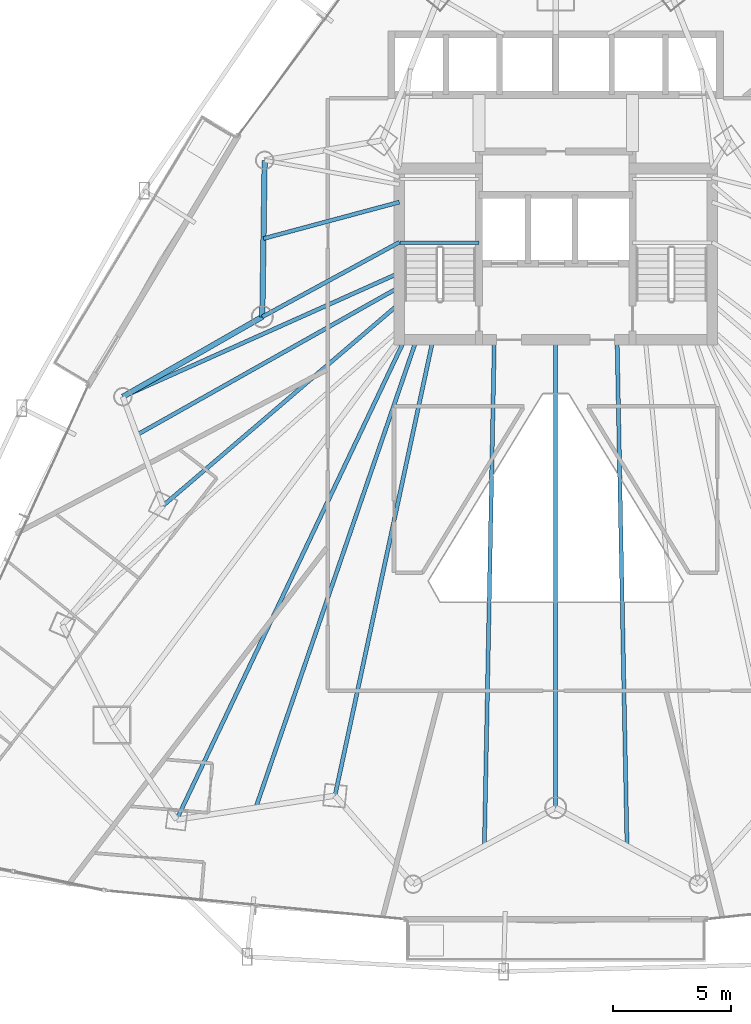
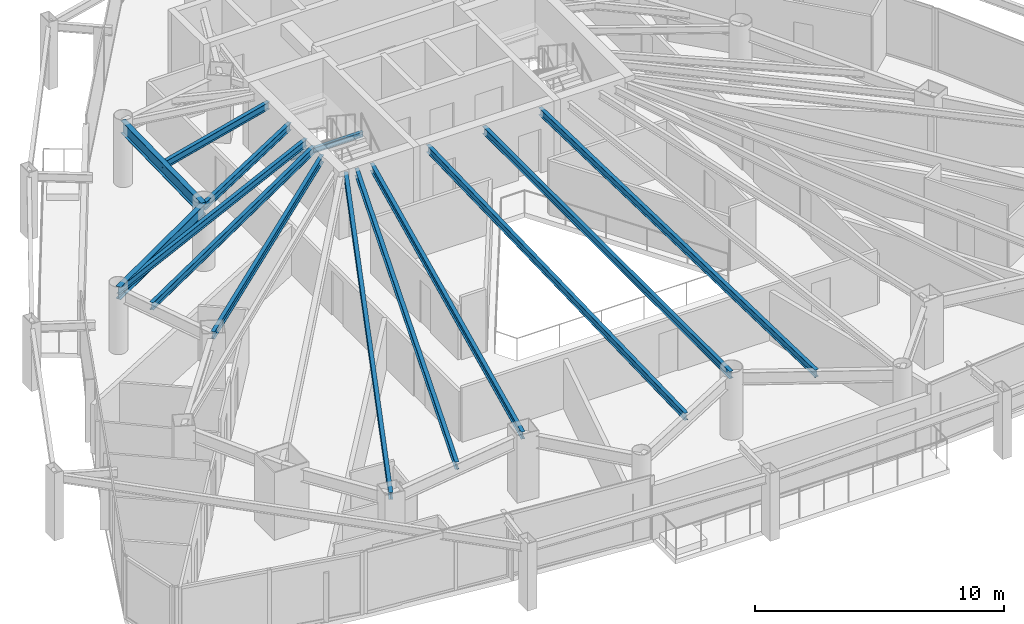
# One storey, part 11 of 34: 14 beams.
"""IFC4 building model written with IfcOpenShell, lengths in metres."""

from ifc_helpers import new_model, si_unit, direction, frame, origin, origin_2d, place, context, subcontext, project, spatial, i_section, extrude, material, material_profile, profile_set, type_object, element, save


model = new_model("IFC4")

# Units and contexts
model_context = context("Model", 3, precision=1e-05, world=origin(), true_north=direction((0.0, 1.0)))
body_context = subcontext(model_context, "Body", "Model", "MODEL_VIEW")
ifc_project = project(units=[si_unit("LENGTHUNIT", "METRE"), si_unit("AREAUNIT", "SQUARE_METRE"), si_unit("VOLUMEUNIT", "CUBIC_METRE"), si_unit("PLANEANGLEUNIT", "RADIAN"), si_unit("MASSUNIT", "GRAM", prefix="KILO")], contexts=[model_context])

# Site, building, storey
site_placement = place(None, origin())
site = spatial("IfcSite", under=ifc_project, at=site_placement, CompositionType="ELEMENT")
building_placement = place(site_placement, origin())
building = spatial("IfcBuilding", under=site, at=building_placement, Name="Orvanel Arch Residences", CompositionType="ELEMENT")
storey_placement = place(building_placement, frame((0.0, 0.0, 77.449951171875)))
storey = spatial("IfcBuildingStorey", under=building, at=storey_placement, Name="L21", CompositionType="ELEMENT", Elevation=77.449951171875)

# Beams
ifc_material = material(Name="Structural steel AS/NZS 3679.1 Grade 300 (300 MPa)", Category="steel")
ifc_material_profile_1 = material_profile(ifc_material, i_section(OverallWidth=0.14599609375, OverallDepth=0.251953125, WebThickness=0.006103515625, FlangeThickness=0.008544921875, at=origin_2d()), Name="250UB31.4")
ifc_profile_set_1 = profile_set([ifc_material_profile_1], Name="Structural steel AS/NZS 3679.1 Grade 300 (300 MPa)")
beam_type_1 = type_object("IfcBeamType", Name="BJ-250UB", PredefinedType="JOIST", material=ifc_profile_set_1)
beam_1_placement = place(storey_placement, frame((26.39990234375, 30.780029296875, 1.323974609375), z_axis=(1.0, 0.0, 0.0), x_axis=(0.0, 1.0, 0.0)))
element("IfcBeam", 1, at=beam_1_placement, inside=storey, type_object=beam_type_1, Name="L21 ST-1 Half-Landing Support Beam 1.1", PredefinedType="JOIST", context=body_context, shape_type="SweptSolid", body=[
    extrude(i_section(OverallWidth=0.14599609375, OverallDepth=0.251953125, WebThickness=0.006103515625, FlangeThickness=0.008544921875, at=origin_2d()), origin(), (0.0, 0.0, 1.0), 3.35009765625),
])
ifc_material_profile_2 = material_profile(ifc_material, i_section(OverallWidth=0.1708984375, OverallDepth=0.35595703125, WebThickness=0.00732421875, FlangeThickness=0.011474609375, at=origin_2d()), Name="360UB50.7")
ifc_profile_set_2 = profile_set([ifc_material_profile_2], Name="Structural steel AS/NZS 3679.1 Grade 300 (300 MPa)")
beam_type_2 = type_object("IfcBeamType", Name="BJ-360UB", PredefinedType="JOIST", material=ifc_profile_set_2)
beam_2_placement = place(storey_placement, frame((26.375, 30.800048828125, 2.882080078125), z_axis=(-0.878399029914, -0.477927969726, 0.0), x_axis=(0.477927969726, -0.878399029914, 0.0)))
element("IfcBeam", 2, at=beam_2_placement, inside=storey, type_object=beam_type_2, Name="L21 NW Wing Floor Joist", PredefinedType="JOIST", context=body_context, shape_type="SweptSolid", body=[
    extrude(i_section(OverallWidth=0.1708984375, OverallDepth=0.35595703125, WebThickness=0.00732421875, FlangeThickness=0.011474609375, at=origin_2d()), origin(), (0.0, 0.0, 1.0), 6.609619140625),
])
beam_3_placement = place(storey_placement, frame((26.375, 28.199951171875, 2.882080078125), z_axis=(-0.760024297953, -0.649894658018, 0.0), x_axis=(0.649894658018, -0.760024297953, 0.0)))
element("IfcBeam", 3, at=beam_3_placement, inside=storey, type_object=beam_type_2, Name="L21 W Wing Floor Joist", PredefinedType="JOIST", context=body_context, shape_type="SweptSolid", body=[
    extrude(i_section(OverallWidth=0.1708984375, OverallDepth=0.35595703125, WebThickness=0.00732421875, FlangeThickness=0.011474609375, at=origin_2d()), origin(), (0.0, 0.0, 1.0), 13.16796875),
])
beam_4_placement = place(storey_placement, frame((27.800048828125, 26.675048828125, 2.882080078125), z_axis=(-0.210066515515, -0.977687096703, 0.0), x_axis=(0.977687096703, -0.210066515515, 0.0)))
element("IfcBeam", 4, at=beam_4_placement, inside=storey, type_object=beam_type_2, Name="L21 SW Wing Floor Joist", PredefinedType="JOIST", context=body_context, shape_type="SweptSolid", body=[
    extrude(i_section(OverallWidth=0.1708984375, OverallDepth=0.35595703125, WebThickness=0.00732421875, FlangeThickness=0.011474609375, at=origin_2d()), origin(), (0.0, 0.0, 1.0), 19.760986328125),
])
beam_5_placement = place(storey_placement, frame((33.0, 26.675048828125, 2.882080078125), z_axis=(0.0, -1.0, 0.0), x_axis=(1.0, 0.0, 0.0)))
element("IfcBeam", 5, at=beam_5_placement, inside=storey, type_object=beam_type_2, Name="L21 SSW Wing Floor Joist", PredefinedType="JOIST", context=body_context, shape_type="SweptSolid", body=[
    extrude(i_section(OverallWidth=0.1708984375, OverallDepth=0.35595703125, WebThickness=0.00732421875, FlangeThickness=0.011474609375, at=origin_2d()), origin(), (0.0, 0.0, 1.0), 19.8310546875),
])
beam_6_placement = place(storey_placement, frame((26.375, 32.5, 2.882080078125), z_axis=(-0.965844838168, -0.259121107949, 0.0), x_axis=(0.259121107949, -0.965844838168, 0.0)))
element("IfcBeam", 6, at=beam_6_placement, inside=storey, type_object=beam_type_2, Name="L21 WNW Wing Floor Joist", PredefinedType="JOIST", context=body_context, shape_type="SweptSolid", body=[
    extrude(i_section(OverallWidth=0.1708984375, OverallDepth=0.35595703125, WebThickness=0.00732421875, FlangeThickness=0.011474609375, at=origin_2d()), origin(), (0.0, 0.0, 1.0), 5.95849609375),
])
for number, where, z_axis, x_axis, name in (
    (7, (30.39990234375, 26.675048828125, 2.882080078125), (-0.019617680075, -0.999807554797, 0.0), (0.999807554797, -0.019617680075, 0.0), "L21 WSW2 Wing Floor Joist"),
    (8, (35.60009765625, 26.675048828125, 2.882080078125), (0.019617680075, -0.999807554797, 0.0), (0.999807554797, 0.019617680075, 0.0), "L21 ESE2 Wing Floor Joist"),
):
    element("IfcBeam", number, at=place(storey_placement, frame(where, z_axis=z_axis, x_axis=x_axis)), inside=storey, type_object=beam_type_2, Name=name, PredefinedType="JOIST", context=body_context, shape_type="SweptSolid", body=[
        extrude(i_section(OverallWidth=0.1708984375, OverallDepth=0.35595703125, WebThickness=0.00732421875, FlangeThickness=0.011474609375, at=origin_2d()), origin(), (0.0, 0.0, 1.0), 21.455078125),
    ])
beam_7_placement = place(storey_placement, frame((26.60009765625, 26.675048828125, 2.882080078125), z_axis=(-0.429042657795, -0.903284228686, 0.0), x_axis=(0.903284228686, -0.429042657795, 0.0)))
element("IfcBeam", 9, at=beam_7_placement, inside=storey, type_object=beam_type_2, Name="L21 MSW Wing Floor Joist", PredefinedType="JOIST", context=body_context, shape_type="SweptSolid", body=[
    extrude(i_section(OverallWidth=0.1708984375, OverallDepth=0.35595703125, WebThickness=0.00732421875, FlangeThickness=0.011474609375, at=origin_2d()), origin(), (0.0, 0.0, 1.0), 22.513427734375),
])
beam_8_placement = place(storey_placement, frame((26.375, 29.5, 2.882080078125), z_axis=(-0.912704378681, -0.408620505038, 0.0), x_axis=(0.408620505038, -0.912704378681, 0.0)))
element("IfcBeam", 10, at=beam_8_placement, inside=storey, type_object=beam_type_2, Name="L21 LSW Wing Floor Joist", PredefinedType="JOIST", context=body_context, shape_type="SweptSolid", body=[
    extrude(i_section(OverallWidth=0.1708984375, OverallDepth=0.35595703125, WebThickness=0.00732421875, FlangeThickness=0.011474609375, at=origin_2d()), origin(), (0.0, 0.0, 1.0), 12.833251953125),
])
beam_9_placement = place(storey_placement, frame((26.375, 28.89990234375, 2.882080078125), z_axis=(-0.871372554181, -0.490621923502, 0.0), x_axis=(0.490621923502, -0.871372554181, 0.0)))
element("IfcBeam", 11, at=beam_9_placement, inside=storey, type_object=beam_type_2, Name="L21 CTW Wing Floor Joist", PredefinedType="JOIST", context=body_context, shape_type="SweptSolid", body=[
    extrude(i_section(OverallWidth=0.1708984375, OverallDepth=0.35595703125, WebThickness=0.00732421875, FlangeThickness=0.011474609375, at=origin_2d()), origin(), (0.0, 0.0, 1.0), 12.7568359375),
])
beam_10_placement = place(storey_placement, frame((27.10009765625, 26.675048828125, 2.882080078125), z_axis=(-0.324621456495, -0.945844019901, 0.0), x_axis=(0.945844019901, -0.324621456495, 0.0)))
element("IfcBeam", 12, at=beam_10_placement, inside=storey, type_object=beam_type_2, Name="L21 JADD1 Wing Floor Joist", PredefinedType="JOIST", context=body_context, shape_type="SweptSolid", body=[
    extrude(i_section(OverallWidth=0.1708984375, OverallDepth=0.35595703125, WebThickness=0.00732421875, FlangeThickness=0.011474609375, at=origin_2d()), origin(), (0.0, 0.0, 1.0), 20.96337890625),
])
ifc_material_profile_3 = material_profile(ifc_material, i_section(OverallWidth=0.22900390625, OverallDepth=0.612060546875, WebThickness=0.011962890625, FlangeThickness=0.01953125, at=origin_2d()), Name="610UB125")
ifc_profile_set_3 = profile_set([ifc_material_profile_3], Name="Structural steel AS/NZS 3679.1 Grade 300 (300 MPa)")
beam_type_3 = type_object("IfcBeamType", Name="SP-610UB", PredefinedType="SPANDREL", material=ifc_profile_set_3)
beam_11_placement = place(storey_placement, frame((20.669921875, 34.27099609375, 2.754150390625), z_axis=(-0.015206666874, -0.999884371956, 0.0), x_axis=(0.999884371956, -0.015206666874, 0.0)))
element("IfcBeam", 13, at=beam_11_placement, inside=storey, type_object=beam_type_3, Name="L21 Perimeter Spandrel Beam 20", PredefinedType="SPANDREL", context=body_context, shape_type="SweptSolid", body=[
    extrude(i_section(OverallWidth=0.22900390625, OverallDepth=0.612060546875, WebThickness=0.011962890625, FlangeThickness=0.01953125, at=origin_2d()), origin(), (0.0, 0.0, 1.0), 6.630615234375),
])
beam_12_placement = place(storey_placement, frame((20.569091796875, 27.64111328125, 2.754150390625), z_axis=(-0.867635629025, -0.497200578485, 0.0), x_axis=(0.497200578485, -0.867635629025, 0.0)))
element("IfcBeam", 14, at=beam_12_placement, inside=storey, type_object=beam_type_3, Name="L21 Perimeter Spandrel Beam 21", PredefinedType="SPANDREL", context=body_context, shape_type="SweptSolid", body=[
    extrude(i_section(OverallWidth=0.22900390625, OverallDepth=0.612060546875, WebThickness=0.011962890625, FlangeThickness=0.01953125, at=origin_2d()), origin(), (0.0, 0.0, 1.0), 6.80810546875),
])

save(model, "model.ifc")
